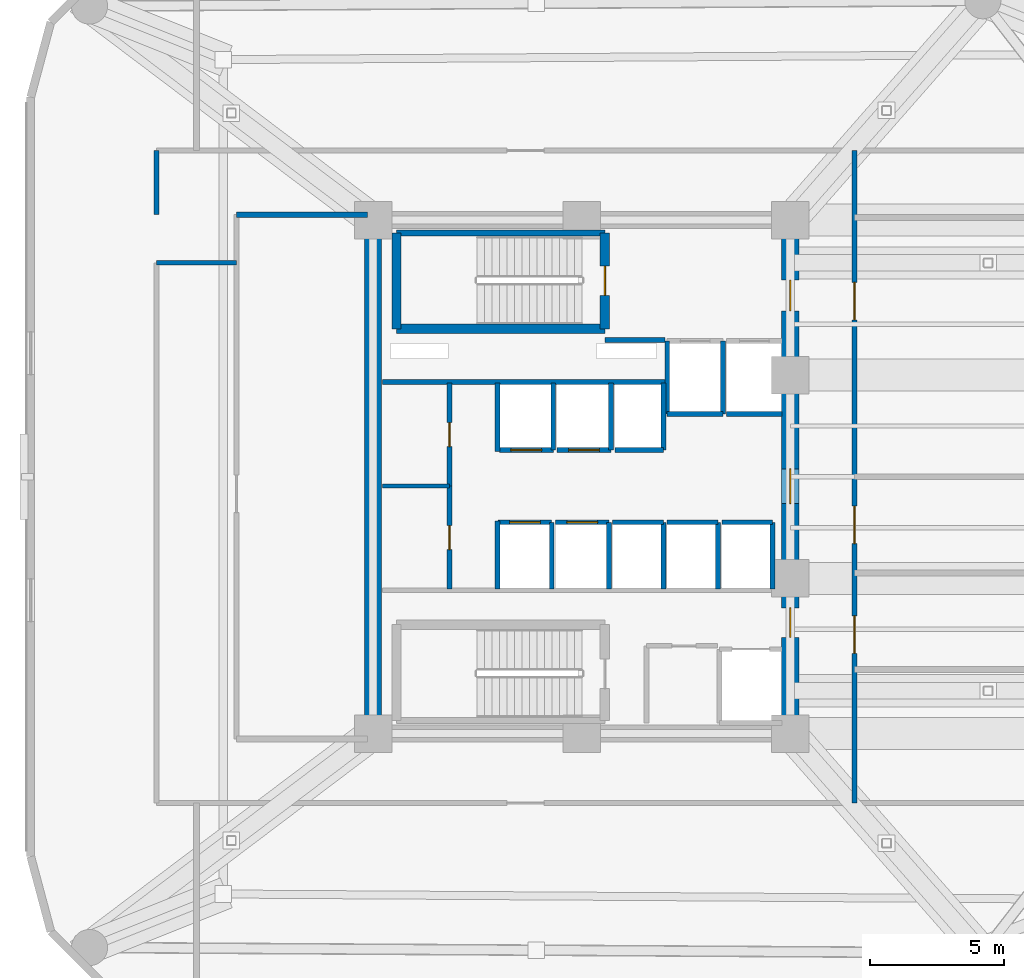
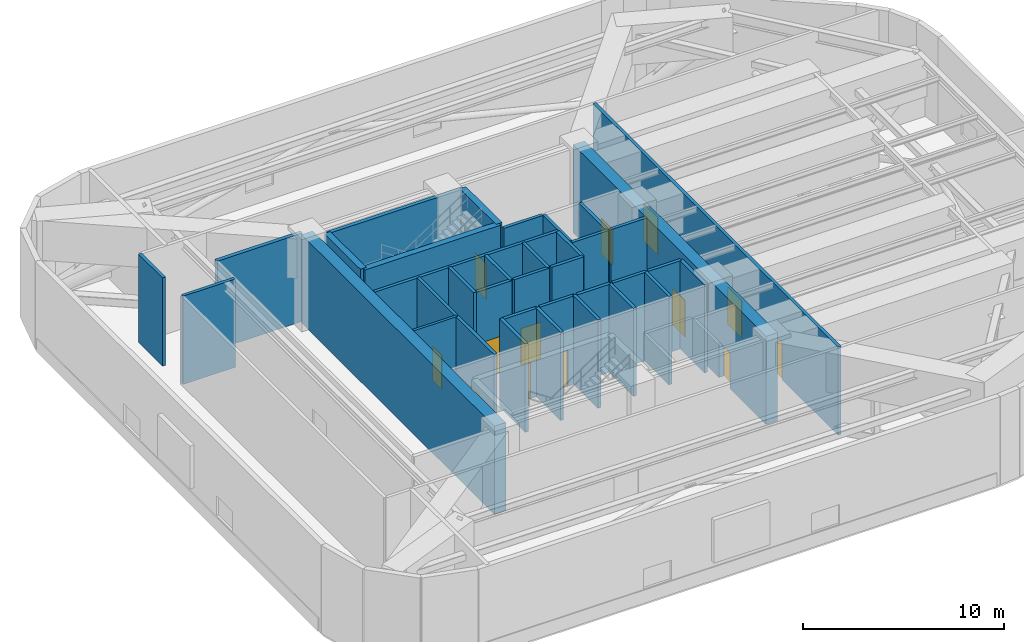
# One storey, part 6 of 10: 37 walls, 13 doors, 13 openings.
"""IFC4 building model written with IfcOpenShell, lengths in metres."""

import ifcopenshell
import ifcopenshell.guid

model = None  # the IFC model being written
_history = None  # IfcOwnerHistory: only IFC2X3 demands one
_inside = {}  # id of a spatial element -> (the spatial element, [elements in it])
_under = {}  # id of a project, library or spatial element -> (it, [spatial elements below it])
_declared = {}  # id of a project -> (the project, [libraries it declares])
_typed = {}  # id of a type object -> (the type object, [elements of that type])
_made_of = {}  # id of a material, layer set ... -> (it, [elements and type objects made of it])


def new_model(schema):
    """Start an empty IFC model of exactly this schema.

    Asked for "IFC4X3", IfcOpenShell would pick the latest addendum, in which some entities
    have other attributes; the version numbers below select the first issue.
    IFC2X3 requires an IfcOwnerHistory on every rooted entity: one is made here for all.
    """
    global model, _history
    if schema == "IFC4X3":
        model = ifcopenshell.file(schema_version=(4, 3, 0, 0))
    else:
        model = ifcopenshell.file(schema=schema)
    _inside.clear()
    _under.clear()
    _declared.clear()
    _typed.clear()
    _made_of.clear()
    _history = None
    if model.schema == "IFC2X3":
        org = make("IfcOrganization", Name="unknown")
        user = make(
            "IfcPersonAndOrganization",
            ThePerson=make("IfcPerson", FamilyName="unknown"),
            TheOrganization=org,
        )
        app = make(
            "IfcApplication",
            ApplicationDeveloper=org,
            Version="unknown",
            ApplicationFullName="unknown",
            ApplicationIdentifier="unknown",
        )
        _history = make(
            "IfcOwnerHistory",
            OwningUser=user,
            OwningApplication=app,
            ChangeAction="ADDED",
            CreationDate=0,
        )
    return model


def make(cls, **values):
    """One entity of the class cls with the attributes given. An attribute that is None is left unset."""
    return model.create_entity(
        cls, **{name: value for name, value in values.items() if value is not None}
    )


def rooted(cls, **values):
    """An entity with a GlobalId (a new one), such as an element, a storey or a relation."""
    return make(cls, GlobalId=ifcopenshell.guid.new(), OwnerHistory=_history, **values)


def si_unit(unit_type, name, prefix=None):
    """IfcSIUnit, for example si_unit("LENGTHUNIT", "METRE", prefix="MILLI")."""
    return make("IfcSIUnit", UnitType=unit_type, Prefix=prefix, Name=name)


def assignment(units):
    """IfcUnitAssignment: the units of a project."""
    return None if units is None else make("IfcUnitAssignment", Units=units)


def point(xyz):
    """IfcCartesianPoint."""
    return None if xyz is None else make("IfcCartesianPoint", Coordinates=xyz)


def direction(xyz):
    """IfcDirection."""
    return None if xyz is None else make("IfcDirection", DirectionRatios=xyz)


def frame(location, z_axis=None, x_axis=None):
    """IfcAxis2Placement3D, a coordinate frame: its origin and axes. An axis left out is left unset."""
    return make(
        "IfcAxis2Placement3D",
        Location=point(location),
        Axis=direction(z_axis),
        RefDirection=direction(x_axis),
    )


def frame_2d(location, x_axis=None):
    """IfcAxis2Placement2D, a coordinate frame in the plane: its origin and x axis."""
    return make(
        "IfcAxis2Placement2D", Location=point(location), RefDirection=direction(x_axis)
    )


def origin():
    """The frame at (0, 0, 0) with its axes left unset."""
    return frame((0.0, 0.0, 0.0))


def place(relative_to, where):
    """IfcLocalPlacement: puts the frame where relative to a parent placement (None: the world)."""
    return make(
        "IfcLocalPlacement", PlacementRelTo=relative_to, RelativePlacement=where
    )


def context(
    kind, dimensions, precision=None, world=None, true_north=None, identifier=None
):
    """IfcGeometricRepresentationContext, for example the 3D "Model" context."""
    return make(
        "IfcGeometricRepresentationContext",
        ContextIdentifier=identifier,
        ContextType=kind,
        CoordinateSpaceDimension=dimensions,
        Precision=precision,
        WorldCoordinateSystem=world,
        TrueNorth=true_north,
    )


def subcontext(parent, identifier, kind, view, scale=None):
    """IfcGeometricRepresentationSubContext, for example "Body" below "Model"."""
    return make(
        "IfcGeometricRepresentationSubContext",
        ContextIdentifier=identifier,
        ContextType=kind,
        ParentContext=parent,
        TargetScale=scale,
        TargetView=view,
    )


def project(units=None, contexts=None):
    """IfcProject with its units and contexts."""
    return rooted(
        "IfcProject",
        Name="project",
        RepresentationContexts=contexts,
        UnitsInContext=assignment(units),
    )


def spatial(cls, under=None, at=None, **own):
    """A site, building, storey or space (cls), placed at a placement, below another one or the project."""
    s = rooted(cls, ObjectPlacement=at, **own)
    if under is not None:
        _under.setdefault(under.id(), (under, []))[1].append(s)
    return s


def profile(cls, at=None, kind="AREA", **sizes):
    """A parametric profile (cls). Its sizes go by their IFC names, for example OverallWidth=200.0."""
    return make(cls, ProfileType=kind, Position=at, **sizes)


def rectangle(**sizes):
    """IfcRectangleProfileDef."""
    return profile("IfcRectangleProfileDef", **sizes)


def extrude(swept, where, along, depth):
    """IfcExtrudedAreaSolid: the profile swept, set in the frame where, extruded along a direction by depth."""
    return make(
        "IfcExtrudedAreaSolid",
        SweptArea=swept,
        Position=where,
        ExtrudedDirection=direction(along),
        Depth=depth,
    )


def shape(context_of_items, identifier, shape_type, items):
    """IfcShapeRepresentation: the items that make up one representation, for example the "Body"."""
    return make(
        "IfcShapeRepresentation",
        ContextOfItems=context_of_items,
        RepresentationIdentifier=identifier,
        RepresentationType=shape_type,
        Items=items,
    )


def material(Name=None, Category=None):
    """IfcMaterial."""
    return make("IfcMaterial", Name=Name, Category=Category)


def layer(
    of_material, thickness, ventilated=None, Name=None, Category=None, Priority=None
):
    """IfcMaterialLayer: one layer of a wall or slab, of a material (None: an air gap)."""
    return make(
        "IfcMaterialLayer",
        Material=of_material,
        LayerThickness=thickness,
        IsVentilated=ventilated,
        Name=Name,
        Category=Category,
        Priority=Priority,
    )


def layer_set(layers, Name=None):
    """IfcMaterialLayerSet."""
    return make("IfcMaterialLayerSet", MaterialLayers=layers, LayerSetName=Name)


def made_of(thing, what):
    """Note that an element or type object is made of a material, layer set ...; save() writes the relation."""
    if what is not None:
        _made_of.setdefault(what.id(), (what, []))[1].append(thing)
    return thing


def type_object(cls, material=None, **own):
    """A type object (cls), such as IfcWallType, which elements share."""
    return made_of(rooted(cls, **own), material)


def element(
    cls,
    number,
    at=None,
    inside=None,
    cuts=None,
    type_object=None,
    material=None,
    context=None,
    identifier="Body",
    shape_type=None,
    held_by="IfcProductDefinitionShape",
    body=None,
    shapes=None,
    **own,
):
    """One element of the class cls, such as IfcWall. Its Tag is "e" and its number.

    at: its placement. inside: the storey or other place that contains it. cuts: it is an
    opening in that element (IfcRelVoidsElement). A single representation is given by context,
    identifier, shape_type and body (its items); several are given by shapes. held_by: the class
    of the entity that holds the representations. save() writes the other relations.
    """
    e = rooted(cls, Tag="e%d" % number, ObjectPlacement=at, **own)
    if body is not None:
        shapes = [shape(context, identifier, shape_type, body)]
    if shapes is not None:
        e.Representation = make(held_by, Representations=shapes)
    if inside is not None:
        _inside.setdefault(inside.id(), (inside, []))[1].append(e)
    if cuts is not None:
        rooted(
            "IfcRelVoidsElement", RelatingBuildingElement=cuts, RelatedOpeningElement=e
        )
    if type_object is not None:
        _typed.setdefault(type_object.id(), (type_object, []))[1].append(e)
    return made_of(e, material)


def fill(opening, filler):
    """IfcRelFillsElement: the door or window that sits in an opening."""
    return rooted(
        "IfcRelFillsElement",
        RelatingOpeningElement=opening,
        RelatedBuildingElement=filler,
    )


def aggregate(whole, parts):
    """IfcRelAggregates: a whole, such as a stair, and the parts it consists of."""
    return rooted("IfcRelAggregates", RelatingObject=whole, RelatedObjects=parts)


def save(model, path):
    """Write the relations noted so far, then the file.

    IfcRelAggregates (storeys below a building ...), IfcRelContainedInSpatialStructure (elements
    in a storey), IfcRelDefinesByType, IfcRelAssociatesMaterial and IfcRelDeclares: one each for
    every whole, place, type object, material and project.
    """
    for whole, parts in _under.values():
        aggregate(whole, parts)
    for where, things in _inside.values():
        rooted(
            "IfcRelContainedInSpatialStructure",
            RelatedElements=things,
            RelatingStructure=where,
        )
    for kind, things in _typed.values():
        rooted("IfcRelDefinesByType", RelatedObjects=things, RelatingType=kind)
    for what, things in _made_of.values():
        rooted("IfcRelAssociatesMaterial", RelatedObjects=things, RelatingMaterial=what)
    for by, libraries in _declared.values():
        rooted("IfcRelDeclares", RelatingContext=by, RelatedDefinitions=libraries)
    model.write(path)


model = new_model("IFC4")

# Units and contexts
model_context = context("Model", 3, precision=1e-05, world=origin(), true_north=direction((0.0, 1.0)))
body_context = subcontext(model_context, "Body", "Model", "MODEL_VIEW")
ifc_project = project(units=[si_unit("LENGTHUNIT", "METRE"), si_unit("AREAUNIT", "SQUARE_METRE"), si_unit("VOLUMEUNIT", "CUBIC_METRE"), si_unit("PLANEANGLEUNIT", "RADIAN"), si_unit("MASSUNIT", "GRAM", prefix="KILO")], contexts=[model_context])

# Site, building, storey
site_placement = place(None, origin())
site = spatial("IfcSite", under=ifc_project, at=site_placement, CompositionType="ELEMENT")
building_placement = place(site_placement, origin())
building = spatial("IfcBuilding", under=site, at=building_placement, Name="An Khanh Terracotta Commons", CompositionType="ELEMENT")
storey_placement = place(building_placement, frame((0.0, 0.0, 133.10009765625)))
storey = spatial("IfcBuildingStorey", under=building, at=storey_placement, Name="L35", CompositionType="ELEMENT", Elevation=133.10009765625)

# Wall
ifc_material_1 = material(Name="Concrete C60/75", Category="concrete")
ifc_layer_1 = layer(ifc_material_1, 0.64990234375, Name="Concrete C60/75")
ifc_layer_set_1 = layer_set([ifc_layer_1], Name="Concrete C60/75")
wall_type_1 = type_object("IfcWallType", Name="WALL-CORE-650", PredefinedType="SHEAR", material=ifc_layer_set_1)
wall_1_placement = place(storey_placement, frame((21.60009765625, 14.39990234375, 0.0), z_axis=(0.0, 0.0, 1.0), x_axis=(0.0, 1.0, 0.0)))
element("IfcWall", 1, at=wall_1_placement, inside=storey, type_object=wall_type_1, Name="L35 Core Wall CWALL-L35-W", PredefinedType="SHEAR", context=body_context, shape_type="SweptSolid", body=[
    extrude(rectangle(XDim=19.2001953125, YDim=0.64990234375, at=frame_2d((9.60009765625, 0.0))), origin(), (0.0, 0.0, 1.0), 5.35986328125),
])

# Wall, openings, doors
wall_2_placement = place(storey_placement, frame((37.199951171875, 14.39990234375, 0.0), z_axis=(0.0, 0.0, 1.0), x_axis=(0.0, 1.0, 0.0)))
wall_2 = element("IfcWall", 2, at=wall_2_placement, inside=storey, type_object=wall_type_1, Name="L35 Core Wall CWALL-L35-E", PredefinedType="SHEAR", context=body_context, shape_type="SweptSolid", body=[
    extrude(rectangle(XDim=19.2001953125, YDim=0.64990234375, at=frame_2d((9.60009765625, 0.0))), origin(), (0.0, 0.0, 1.0), 5.35986328125),
])
opening_1_placement = place(wall_2_placement, frame((15.800048828125, 0.0, 0.0)))
opening_1 = element("IfcOpeningElement", 3, at=opening_1_placement, cuts=wall_2, Name="Opening D-FFL", PredefinedType="OPENING", context=body_context, shape_type="SweptSolid", body=[
    extrude(rectangle(XDim=1.14990234375, YDim=2.14990234375, at=frame_2d((0.574951171875, 1.074951171875))), frame((0.0, 0.3349609375, 0.0), z_axis=(0.0, -1.0, 0.0), x_axis=(1.0, 0.0, 0.0)), (0.0, 0.0, 1.0), 0.669921875),
])
opening_2_placement = place(wall_2_placement, frame((3.60009765625, 0.0, 0.0)))
opening_2 = element("IfcOpeningElement", 4, at=opening_2_placement, cuts=wall_2, Name="Opening D-ST", PredefinedType="OPENING", context=body_context, shape_type="SweptSolid", body=[
    extrude(rectangle(XDim=1.10009765625, YDim=2.14990234375, at=frame_2d((0.550048828125, 1.074951171875))), frame((0.0, 0.3349609375, 0.0), z_axis=(0.0, -1.0, 0.0), x_axis=(1.0, 0.0, 0.0)), (0.0, 0.0, 1.0), 0.669921875),
])
opening_3_placement = place(wall_2_placement, frame((8.60009765625, 0.0, 0.0)))
opening_3 = element("IfcOpeningElement", 5, at=opening_3_placement, cuts=wall_2, Name="Opening D-COR", PredefinedType="OPENING", context=body_context, shape_type="SweptSolid", body=[
    extrude(rectangle(XDim=1.300048828125, YDim=2.199951171875, at=frame_2d((0.64990234375, 1.10009765625))), frame((0.0, 0.3349609375, 0.0), z_axis=(0.0, -1.0, 0.0), x_axis=(1.0, 0.0, 0.0)), (0.0, 0.0, 1.0), 0.669921875),
])
ifc_material_2 = material(Name="Fire-Rated Glazed Steel Double Door", Category="steel")
door_type_1 = type_object("IfcDoorType", Name="DOOR-CORR-1300", OperationType="NOTDEFINED", PredefinedType="DOOR", material=ifc_material_2)
door_1_placement = place(opening_3_placement, origin())
door_1 = element("IfcDoor", 6, at=door_1_placement, inside=storey, type_object=door_type_1, Name="L35 Passenger Lift Lobby Double Door", OperationType="DOUBLE_DOOR_SINGLE_SWING", OverallHeight=2.199951171875, OverallWidth=1.300048828125, PredefinedType="DOOR", context=body_context, shape_type="SweptSolid", body=[
    extrude(rectangle(XDim=1.300048828125, YDim=2.199951171875, at=frame_2d((0.64990234375, 1.10009765625))), frame((0.0, 0.02490234375, 0.0), z_axis=(0.0, -1.0, 0.0), x_axis=(1.0, 0.0, 0.0)), (0.0, 0.0, 1.0), 0.050048828125),
])
fill(opening_3, door_1)
ifc_material_3 = material(Name="Fire-Rated Steel Leaf and Vision Panel", Category="steel")
door_type_2 = type_object("IfcDoorType", Name="DOOR-FFL-1150", OperationType="NOTDEFINED", PredefinedType="DOOR", material=ifc_material_3)
door_2_placement = place(opening_1_placement, origin())
door_2 = element("IfcDoor", 7, at=door_2_placement, inside=storey, type_object=door_type_2, Name="L35 Firefighting Lift Lobby Fire Door", OperationType="SINGLE_SWING_RIGHT", OverallHeight=2.14990234375, OverallWidth=1.14990234375, PredefinedType="DOOR", context=body_context, shape_type="SweptSolid", body=[
    extrude(rectangle(XDim=1.14990234375, YDim=2.14990234375, at=frame_2d((0.574951171875, 1.074951171875))), frame((0.0, 0.02490234375, 0.0), z_axis=(0.0, -1.0, 0.0), x_axis=(1.0, 0.0, 0.0)), (0.0, 0.0, 1.0), 0.050048828125),
])
fill(opening_1, door_2)
ifc_material_4 = material(Name="Fire-Rated Steel Leaf and Frame", Category="steel")
door_type_3 = type_object("IfcDoorType", Name="DOOR-STAIR-1100", OperationType="NOTDEFINED", PredefinedType="DOOR", material=ifc_material_4)
door_3_placement = place(opening_2_placement, origin())
door_3 = element("IfcDoor", 8, at=door_3_placement, inside=storey, type_object=door_type_3, Name="L35 South Stair Lobby Fire Door", OperationType="SINGLE_SWING_LEFT", OverallHeight=2.14990234375, OverallWidth=1.10009765625, PredefinedType="DOOR", context=body_context, shape_type="SweptSolid", body=[
    extrude(rectangle(XDim=1.10009765625, YDim=2.14990234375, at=frame_2d((0.550048828125, 1.074951171875))), frame((0.0, 0.02490234375, 0.0), z_axis=(0.0, -1.0, 0.0), x_axis=(1.0, 0.0, 0.0)), (0.0, 0.0, 1.0), 0.050048828125),
])
fill(opening_2, door_3)

# Walls
ifc_material_5 = material(Name="Fire-Rated Gypsum Board on Steel Stud", Category="steel")
ifc_layer_2 = layer(ifc_material_5, 0.179931640625, Name="Fire-Rated Gypsum Board on Steel Stud")
ifc_layer_set_2 = layer_set([ifc_layer_2], Name="Fire-Rated Gypsum Board on Steel Stud")
wall_type_2 = type_object("IfcWallType", Name="WALL-CORR-180", PredefinedType="PARTITIONING", material=ifc_layer_set_2)
wall_3_placement = place(storey_placement, frame((30.27001953125, 29.1201171875, 0.0), z_axis=(0.0, 0.0, 1.0), x_axis=(1.0, 0.0, 0.0)))
element("IfcWall", 9, at=wall_3_placement, inside=storey, type_object=wall_type_2, Name="L35 Core Wall FFLW-L35-S", PredefinedType="PARTITIONING", context=body_context, shape_type="SweptSolid", body=[
    extrude(rectangle(XDim=2.239990234375, YDim=0.179931640625, at=frame_2d((1.1201171875, 0.0))), origin(), (0.0, 0.0, 1.0), 5.35986328125),
])
wall_4_placement = place(storey_placement, frame((21.949951171875, 27.5400390625, 0.0), z_axis=(0.0, 0.0, 1.0), x_axis=(1.0, 0.0, 0.0)))
element("IfcWall", 10, at=wall_4_placement, inside=storey, type_object=wall_type_2, Name="L35 Core Wall RSRW-L35-S", PredefinedType="PARTITIONING", context=body_context, shape_type="SweptSolid", body=[
    extrude(rectangle(XDim=10.56005859375, YDim=0.179931640625, at=frame_2d((5.280029296875, 0.0))), origin(), (0.0, 0.0, 1.0), 5.35986328125),
])
wall_5_placement = place(storey_placement, frame((34.679931640625, 26.35009765625, 0.0), z_axis=(0.0, 0.0, 1.0), x_axis=(-1.0, 0.0, 0.0)))
element("IfcWall", 11, at=wall_5_placement, inside=storey, type_object=wall_type_2, Name="L35 Core Wall LSH-L35-FFL-01-S", PredefinedType="PARTITIONING", context=body_context, shape_type="SweptSolid", body=[
    extrude(rectangle(XDim=2.079833984375, YDim=0.179931640625, at=frame_2d((1.0400390625, 0.0))), origin(), (0.0, 0.0, 1.0), 5.35986328125),
])
for number, where, z_axis, x_axis, name in (
    (12, (34.679931640625, 26.35009765625, 0.0), (0.0, 0.0, 1.0), (0.0, 1.0, 0.0), "L35 Core Wall LSH-L35-FFL-01-E"),
    (13, (32.60009765625, 29.080078125, 0.0), (0.0, 0.0, 1.0), (0.0, -1.0, 0.0), "L35 Core Wall LSH-L35-FFL-01-W"),
):
    element("IfcWall", number, at=place(storey_placement, frame(where, z_axis=z_axis, x_axis=x_axis)), inside=storey, type_object=wall_type_2, Name=name, PredefinedType="PARTITIONING", context=body_context, shape_type="SweptSolid", body=[
        extrude(rectangle(XDim=2.72998046875, YDim=0.179931640625, at=frame_2d((1.364990234375, 0.0))), origin(), (0.0, 0.0, 1.0), 5.35986328125),
    ])
wall_6_placement = place(storey_placement, frame((36.89990234375, 26.35009765625, 0.0), z_axis=(0.0, 0.0, 1.0), x_axis=(-1.0, 0.0, 0.0)))
element("IfcWall", 14, at=wall_6_placement, inside=storey, type_object=wall_type_2, Name="L35 Core Wall LSH-L35-FFL-02-S", PredefinedType="PARTITIONING", context=body_context, shape_type="SweptSolid", body=[
    extrude(rectangle(XDim=2.079833984375, YDim=0.179931640625, at=frame_2d((1.0400390625, 0.0))), origin(), (0.0, 0.0, 1.0), 5.35986328125),
])

# Wall, opening, door
wall_7_placement = place(storey_placement, frame((28.340087890625, 25.0, 0.0), z_axis=(0.0, 0.0, 1.0), x_axis=(-1.0, 0.0, 0.0)))
wall_7 = element("IfcWall", 15, at=wall_7_placement, inside=storey, type_object=wall_type_2, Name="L35 Core Wall LSH-L35-PL-M1-S", PredefinedType="PARTITIONING", context=body_context, shape_type="SweptSolid", body=[
    extrude(rectangle(XDim=2.02001953125, YDim=0.179931640625, at=frame_2d((1.010009765625, 0.0))), origin(), (0.0, 0.0, 1.0), 5.35986328125),
])
opening_4_placement = place(wall_7_placement, frame((0.43505859375, 0.0, 0.0)))
opening_4 = element("IfcOpeningElement", 16, at=opening_4_placement, cuts=wall_7, Name="Opening LD-PL-M1-L35", PredefinedType="OPENING", context=body_context, shape_type="SweptSolid", body=[
    extrude(rectangle(XDim=1.14990234375, YDim=2.199951171875, at=frame_2d((0.574951171875, 1.10009765625))), frame((0.0, 0.099853515625, 0.0), z_axis=(0.0, -1.0, 0.0), x_axis=(1.0, 0.0, 0.0)), (0.0, 0.0, 1.0), 0.199951171875),
])
ifc_material_6 = material(Name="Brushed Stainless Steel Passenger Landing Door", Category="steel")
door_type_4 = type_object("IfcDoorType", Name="DOOR-LD-PAX-1150", OperationType="NOTDEFINED", PredefinedType="DOOR", material=ifc_material_6)
door_4_placement = place(opening_4_placement, origin())
door_4 = element("IfcDoor", 17, at=door_4_placement, inside=storey, type_object=door_type_4, Name="L35 Lift PL-M1 Sliding Landing Door", OperationType="DOUBLE_DOOR_SLIDING", OverallHeight=2.199951171875, OverallWidth=1.14990234375, PredefinedType="DOOR", context=body_context, shape_type="SweptSolid", body=[
    extrude(rectangle(XDim=1.14990234375, YDim=2.199951171875, at=frame_2d((0.574951171875, 1.10009765625))), frame((0.0, 0.02490234375, 0.0), z_axis=(0.0, -1.0, 0.0), x_axis=(1.0, 0.0, 0.0)), (0.0, 0.0, 1.0), 0.050048828125),
])
fill(opening_4, door_4)

# Wall
wall_8_placement = place(storey_placement, frame((28.340087890625, 25.0, 0.0), z_axis=(0.0, 0.0, 1.0), x_axis=(0.0, 1.0, 0.0)))
element("IfcWall", 18, at=wall_8_placement, inside=storey, type_object=wall_type_2, Name="L35 Core Wall LSH-L35-PL-M1-E", PredefinedType="PARTITIONING", context=body_context, shape_type="SweptSolid", body=[
    extrude(rectangle(XDim=2.5, YDim=0.179931640625, at=frame_2d((1.25, 0.0))), origin(), (0.0, 0.0, 1.0), 5.35986328125),
])

# Wall, opening, door
wall_9_placement = place(storey_placement, frame((30.5, 25.0, 0.0), z_axis=(0.0, 0.0, 1.0), x_axis=(-1.0, 0.0, 0.0)))
wall_9 = element("IfcWall", 19, at=wall_9_placement, inside=storey, type_object=wall_type_2, Name="L35 Core Wall LSH-L35-PL-M2-S", PredefinedType="PARTITIONING", context=body_context, shape_type="SweptSolid", body=[
    extrude(rectangle(XDim=2.02001953125, YDim=0.179931640625, at=frame_2d((1.010009765625, 0.0))), origin(), (0.0, 0.0, 1.0), 5.35986328125),
])
opening_5_placement = place(wall_9_placement, frame((0.43505859375, 0.0, 0.0)))
opening_5 = element("IfcOpeningElement", 20, at=opening_5_placement, cuts=wall_9, Name="Opening LD-PL-M2-L35", PredefinedType="OPENING", context=body_context, shape_type="SweptSolid", body=[
    extrude(rectangle(XDim=1.14990234375, YDim=2.199951171875, at=frame_2d((0.574951171875, 1.10009765625))), frame((0.0, 0.099853515625, 0.0), z_axis=(0.0, -1.0, 0.0), x_axis=(1.0, 0.0, 0.0)), (0.0, 0.0, 1.0), 0.199951171875),
])
door_5_placement = place(opening_5_placement, origin())
door_5 = element("IfcDoor", 21, at=door_5_placement, inside=storey, type_object=door_type_4, Name="L35 Lift PL-M2 Sliding Landing Door", OperationType="DOUBLE_DOOR_SLIDING", OverallHeight=2.199951171875, OverallWidth=1.14990234375, PredefinedType="DOOR", context=body_context, shape_type="SweptSolid", body=[
    extrude(rectangle(XDim=1.14990234375, YDim=2.199951171875, at=frame_2d((0.574951171875, 1.10009765625))), frame((0.0, 0.02490234375, 0.0), z_axis=(0.0, -1.0, 0.0), x_axis=(1.0, 0.0, 0.0)), (0.0, 0.0, 1.0), 0.050048828125),
])
fill(opening_5, door_5)

# Wall
wall_10_placement = place(storey_placement, frame((30.5, 25.0, 0.0), z_axis=(0.0, 0.0, 1.0), x_axis=(0.0, 1.0, 0.0)))
element("IfcWall", 22, at=wall_10_placement, inside=storey, type_object=wall_type_2, Name="L35 Core Wall LSH-L35-PL-M2-E", PredefinedType="PARTITIONING", context=body_context, shape_type="SweptSolid", body=[
    extrude(rectangle(XDim=2.5, YDim=0.179931640625, at=frame_2d((1.25, 0.0))), origin(), (0.0, 0.0, 1.0), 5.35986328125),
])

# Wall, opening, door
wall_11_placement = place(storey_placement, frame((26.280029296875, 22.300048828125, 0.0), z_axis=(0.0, 0.0, 1.0), x_axis=(1.0, 0.0, 0.0)))
wall_11 = element("IfcWall", 23, at=wall_11_placement, inside=storey, type_object=wall_type_2, Name="L35 Core Wall LSH-L35-PL-M3-N", PredefinedType="PARTITIONING", context=body_context, shape_type="SweptSolid", body=[
    extrude(rectangle(XDim=2.0, YDim=0.179931640625, at=frame_2d((1.0, 0.0))), origin(), (0.0, 0.0, 1.0), 5.35986328125),
])
opening_6_placement = place(wall_11_placement, frame((0.425048828125, 0.0, 0.0)))
opening_6 = element("IfcOpeningElement", 24, at=opening_6_placement, cuts=wall_11, Name="Opening LD-PL-M3-L35", PredefinedType="OPENING", context=body_context, shape_type="SweptSolid", body=[
    extrude(rectangle(XDim=1.14990234375, YDim=2.199951171875, at=frame_2d((0.574951171875, 1.10009765625))), frame((0.0, 0.099853515625, 0.0), z_axis=(0.0, -1.0, 0.0), x_axis=(1.0, 0.0, 0.0)), (0.0, 0.0, 1.0), 0.199951171875),
])
door_6_placement = place(opening_6_placement, origin())
door_6 = element("IfcDoor", 25, at=door_6_placement, inside=storey, type_object=door_type_4, Name="L35 Lift PL-M3 Sliding Landing Door", OperationType="DOUBLE_DOOR_SLIDING", OverallHeight=2.199951171875, OverallWidth=1.14990234375, PredefinedType="DOOR", context=body_context, shape_type="SweptSolid", body=[
    extrude(rectangle(XDim=1.14990234375, YDim=2.199951171875, at=frame_2d((0.574951171875, 1.10009765625))), frame((0.0, 0.02490234375, 0.0), z_axis=(0.0, -1.0, 0.0), x_axis=(1.0, 0.0, 0.0)), (0.0, 0.0, 1.0), 0.050048828125),
])
fill(opening_6, door_6)

# Wall
wall_12_placement = place(storey_placement, frame((28.280029296875, 19.800048828125, 0.0), z_axis=(0.0, 0.0, 1.0), x_axis=(0.0, 1.0, 0.0)))
element("IfcWall", 26, at=wall_12_placement, inside=storey, type_object=wall_type_2, Name="L35 Core Wall LSH-L35-PL-M3-E", PredefinedType="PARTITIONING", context=body_context, shape_type="SweptSolid", body=[
    extrude(rectangle(XDim=2.5, YDim=0.179931640625, at=frame_2d((1.25, 0.0))), origin(), (0.0, 0.0, 1.0), 5.35986328125),
])

# Wall, opening, door
wall_13_placement = place(storey_placement, frame((28.419921875, 22.300048828125, 0.0), z_axis=(0.0, 0.0, 1.0), x_axis=(1.0, 0.0, 0.0)))
wall_13 = element("IfcWall", 27, at=wall_13_placement, inside=storey, type_object=wall_type_2, Name="L35 Core Wall LSH-L35-PL-M4-N", PredefinedType="PARTITIONING", context=body_context, shape_type="SweptSolid", body=[
    extrude(rectangle(XDim=2.0, YDim=0.179931640625, at=frame_2d((1.0, 0.0))), origin(), (0.0, 0.0, 1.0), 5.35986328125),
])
opening_7_placement = place(wall_13_placement, frame((0.425048828125, 0.0, 0.0)))
opening_7 = element("IfcOpeningElement", 28, at=opening_7_placement, cuts=wall_13, Name="Opening LD-PL-M4-L35", PredefinedType="OPENING", context=body_context, shape_type="SweptSolid", body=[
    extrude(rectangle(XDim=1.14990234375, YDim=2.199951171875, at=frame_2d((0.574951171875, 1.10009765625))), frame((0.0, 0.099853515625, 0.0), z_axis=(0.0, -1.0, 0.0), x_axis=(1.0, 0.0, 0.0)), (0.0, 0.0, 1.0), 0.199951171875),
])
door_7_placement = place(opening_7_placement, origin())
door_7 = element("IfcDoor", 29, at=door_7_placement, inside=storey, type_object=door_type_4, Name="L35 Lift PL-M4 Sliding Landing Door", OperationType="DOUBLE_DOOR_SLIDING", OverallHeight=2.199951171875, OverallWidth=1.14990234375, PredefinedType="DOOR", context=body_context, shape_type="SweptSolid", body=[
    extrude(rectangle(XDim=1.14990234375, YDim=2.199951171875, at=frame_2d((0.574951171875, 1.10009765625))), frame((0.0, 0.02490234375, 0.0), z_axis=(0.0, -1.0, 0.0), x_axis=(1.0, 0.0, 0.0)), (0.0, 0.0, 1.0), 0.050048828125),
])
fill(opening_7, door_7)

# Walls
wall_14_placement = place(storey_placement, frame((30.419921875, 19.800048828125, 0.0), z_axis=(0.0, 0.0, 1.0), x_axis=(0.0, 1.0, 0.0)))
element("IfcWall", 30, at=wall_14_placement, inside=storey, type_object=wall_type_2, Name="L35 Core Wall LSH-L35-PL-M4-E", PredefinedType="PARTITIONING", context=body_context, shape_type="SweptSolid", body=[
    extrude(rectangle(XDim=2.5, YDim=0.179931640625, at=frame_2d((1.25, 0.0))), origin(), (0.0, 0.0, 1.0), 5.35986328125),
])
wall_15_placement = place(storey_placement, frame((32.4599609375, 25.0, 0.0), z_axis=(0.0, 0.0, 1.0), x_axis=(-1.0, 0.0, 0.0)))
element("IfcWall", 31, at=wall_15_placement, inside=storey, type_object=wall_type_2, Name="L35 Core Wall LSH-L35-PL-H1-S", PredefinedType="PARTITIONING", context=body_context, shape_type="SweptSolid", body=[
    extrude(rectangle(XDim=1.820068359375, YDim=0.179931640625, at=frame_2d((0.91015625, 0.0))), origin(), (0.0, 0.0, 1.0), 5.35986328125),
])
wall_16_placement = place(storey_placement, frame((32.4599609375, 25.0, 0.0), z_axis=(0.0, 0.0, 1.0), x_axis=(0.0, 1.0, 0.0)))
element("IfcWall", 32, at=wall_16_placement, inside=storey, type_object=wall_type_2, Name="L35 Core Wall LSH-L35-PL-H1-E", PredefinedType="PARTITIONING", context=body_context, shape_type="SweptSolid", body=[
    extrude(rectangle(XDim=2.5, YDim=0.179931640625, at=frame_2d((1.25, 0.0))), origin(), (0.0, 0.0, 1.0), 5.35986328125),
])
wall_17_placement = place(storey_placement, frame((30.56005859375, 22.300048828125, 0.0), z_axis=(0.0, 0.0, 1.0), x_axis=(1.0, 0.0, 0.0)))
element("IfcWall", 33, at=wall_17_placement, inside=storey, type_object=wall_type_2, Name="L35 Core Wall LSH-L35-PL-H2-N", PredefinedType="PARTITIONING", context=body_context, shape_type="SweptSolid", body=[
    extrude(rectangle(XDim=1.89990234375, YDim=0.179931640625, at=frame_2d((0.949951171875, 0.0))), origin(), (0.0, 0.0, 1.0), 5.35986328125),
])
wall_18_placement = place(storey_placement, frame((32.4599609375, 19.800048828125, 0.0), z_axis=(0.0, 0.0, 1.0), x_axis=(0.0, 1.0, 0.0)))
element("IfcWall", 34, at=wall_18_placement, inside=storey, type_object=wall_type_2, Name="L35 Core Wall LSH-L35-PL-H2-E", PredefinedType="PARTITIONING", context=body_context, shape_type="SweptSolid", body=[
    extrude(rectangle(XDim=2.5, YDim=0.179931640625, at=frame_2d((1.25, 0.0))), origin(), (0.0, 0.0, 1.0), 5.35986328125),
])
wall_19_placement = place(storey_placement, frame((32.60009765625, 22.300048828125, 0.0), z_axis=(0.0, 0.0, 1.0), x_axis=(1.0, 0.0, 0.0)))
element("IfcWall", 35, at=wall_19_placement, inside=storey, type_object=wall_type_2, Name="L35 Core Wall LSH-L35-PL-H3-N", PredefinedType="PARTITIONING", context=body_context, shape_type="SweptSolid", body=[
    extrude(rectangle(XDim=1.89990234375, YDim=0.179931640625, at=frame_2d((0.949951171875, 0.0))), origin(), (0.0, 0.0, 1.0), 5.35986328125),
])
wall_20_placement = place(storey_placement, frame((34.5, 19.800048828125, 0.0), z_axis=(0.0, 0.0, 1.0), x_axis=(0.0, 1.0, 0.0)))
element("IfcWall", 36, at=wall_20_placement, inside=storey, type_object=wall_type_2, Name="L35 Core Wall LSH-L35-PL-H3-E", PredefinedType="PARTITIONING", context=body_context, shape_type="SweptSolid", body=[
    extrude(rectangle(XDim=2.5, YDim=0.179931640625, at=frame_2d((1.25, 0.0))), origin(), (0.0, 0.0, 1.0), 5.35986328125),
])
wall_21_placement = place(storey_placement, frame((34.639892578125, 22.300048828125, 0.0), z_axis=(0.0, 0.0, 1.0), x_axis=(1.0, 0.0, 0.0)))
element("IfcWall", 37, at=wall_21_placement, inside=storey, type_object=wall_type_2, Name="L35 Core Wall LSH-L35-PL-H4-N", PredefinedType="PARTITIONING", context=body_context, shape_type="SweptSolid", body=[
    extrude(rectangle(XDim=1.900146484375, YDim=0.179931640625, at=frame_2d((0.9501953125, 0.0))), origin(), (0.0, 0.0, 1.0), 5.35986328125),
])
wall_22_placement = place(storey_placement, frame((36.5400390625, 19.800048828125, 0.0), z_axis=(0.0, 0.0, 1.0), x_axis=(0.0, 1.0, 0.0)))
element("IfcWall", 38, at=wall_22_placement, inside=storey, type_object=wall_type_2, Name="L35 Core Wall LSH-L35-PL-H4-E", PredefinedType="PARTITIONING", context=body_context, shape_type="SweptSolid", body=[
    extrude(rectangle(XDim=2.5, YDim=0.179931640625, at=frame_2d((1.25, 0.0))), origin(), (0.0, 0.0, 1.0), 5.35986328125),
])

# Wall, opening, door
wall_23_placement = place(storey_placement, frame((24.4599609375, 23.64990234375, 0.0), z_axis=(0.0, 0.0, 1.0), x_axis=(0.0, 1.0, 0.0)))
wall_23 = element("IfcWall", 39, at=wall_23_placement, inside=storey, type_object=wall_type_2, Name="L35 Core Wall RECW-L35-E1", PredefinedType="PARTITIONING", context=body_context, shape_type="SweptSolid", body=[
    extrude(rectangle(XDim=3.85009765625, YDim=0.179931640625, at=frame_2d((1.925048828125, 0.0))), origin(), (0.0, 0.0, 1.0), 5.35986328125),
])
opening_8_placement = place(wall_23_placement, frame((1.47509765625, 0.0, 0.0)))
opening_8 = element("IfcOpeningElement", 40, at=opening_8_placement, cuts=wall_23, Name="Opening D-SV", PredefinedType="OPENING", context=body_context, shape_type="SweptSolid", body=[
    extrude(rectangle(XDim=0.89990234375, YDim=2.050048828125, at=frame_2d((0.449951171875, 1.02490234375))), frame((0.0, 0.099853515625, 0.0), z_axis=(0.0, -1.0, 0.0), x_axis=(1.0, 0.0, 0.0)), (0.0, 0.0, 1.0), 0.199951171875),
])
ifc_material_7 = material(Name="Fire-Rated Powder-Coated Steel Door", Category="steel")
door_type_5 = type_object("IfcDoorType", Name="DOOR-SERV-900", OperationType="NOTDEFINED", PredefinedType="DOOR", material=ifc_material_7)
door_8_placement = place(opening_8_placement, origin())
door_8 = element("IfcDoor", 41, at=door_8_placement, inside=storey, type_object=door_type_5, Name="L35 Mechanical Smoke-Control Fan Plant Room Door", OperationType="SINGLE_SWING_LEFT", OverallHeight=2.050048828125, OverallWidth=0.89990234375, PredefinedType="DOOR", context=body_context, shape_type="SweptSolid", body=[
    extrude(rectangle(XDim=0.89990234375, YDim=2.050048828125, at=frame_2d((0.449951171875, 1.02490234375))), frame((0.0, 0.02490234375, 0.0), z_axis=(0.0, -1.0, 0.0), x_axis=(1.0, 0.0, 0.0)), (0.0, 0.0, 1.0), 0.050048828125),
])
fill(opening_8, door_8)

wall_24_placement = place(storey_placement, frame((24.4599609375, 19.800048828125, 0.0), z_axis=(0.0, 0.0, 1.0), x_axis=(0.0, 1.0, 0.0)))
wall_24 = element("IfcWall", 42, at=wall_24_placement, inside=storey, type_object=wall_type_2, Name="L35 Core Wall RECW-L35-E2", PredefinedType="PARTITIONING", context=body_context, shape_type="SweptSolid", body=[
    extrude(rectangle(XDim=3.849853515625, YDim=0.179931640625, at=frame_2d((1.9248046875, 0.0))), origin(), (0.0, 0.0, 1.0), 5.35986328125),
])
opening_9_placement = place(wall_24_placement, frame((1.47509765625, 0.0, 0.0)))
opening_9 = element("IfcOpeningElement", 43, at=opening_9_placement, cuts=wall_24, Name="Opening D-SV", PredefinedType="OPENING", context=body_context, shape_type="SweptSolid", body=[
    extrude(rectangle(XDim=0.89990234375, YDim=2.050048828125, at=frame_2d((0.449951171875, 1.02490234375))), frame((0.0, 0.099853515625, 0.0), z_axis=(0.0, -1.0, 0.0), x_axis=(1.0, 0.0, 0.0)), (0.0, 0.0, 1.0), 0.199951171875),
])
door_9_placement = place(opening_9_placement, origin())
door_9 = element("IfcDoor", 44, at=door_9_placement, inside=storey, type_object=door_type_5, Name="L35 Refuge Emergency Generator Switchroom Door", OperationType="SINGLE_SWING_RIGHT", OverallHeight=2.050048828125, OverallWidth=0.89990234375, PredefinedType="DOOR", context=body_context, shape_type="SweptSolid", body=[
    extrude(rectangle(XDim=0.89990234375, YDim=2.050048828125, at=frame_2d((0.449951171875, 1.02490234375))), frame((0.0, 0.02490234375, 0.0), z_axis=(0.0, -1.0, 0.0), x_axis=(1.0, 0.0, 0.0)), (0.0, 0.0, 1.0), 0.050048828125),
])
fill(opening_9, door_9)

# Walls
for number, where, z_axis, x_axis, name in (
    (45, (26.25, 24.949951171875, 0.0), (0.0, 0.0, 1.0), (0.0, 1.0, 0.0), "L35 Core Wall RECW-L35-BE1"),
    (46, (26.25, 19.800048828125, 0.0), (0.0, 0.0, 1.0), (0.0, 1.0, 0.0), "L35 Core Wall RECW-L35-BE2"),
):
    element("IfcWall", number, at=place(storey_placement, frame(where, z_axis=z_axis, x_axis=x_axis)), inside=storey, type_object=wall_type_2, Name=name, PredefinedType="PARTITIONING", context=body_context, shape_type="SweptSolid", body=[
        extrude(rectangle(XDim=2.550048828125, YDim=0.179931640625, at=frame_2d((1.27490234375, 0.0))), origin(), (0.0, 0.0, 1.0), 5.35986328125),
    ])
wall_25_placement = place(storey_placement, frame((13.5, 32.0, 0.0), z_axis=(0.0, 0.0, 1.0), x_axis=(1.0, 0.0, 0.0)))
element("IfcWall", 47, at=wall_25_placement, inside=storey, type_object=wall_type_2, Name="L35 Interior Partition IW-L35-E006", PredefinedType="PARTITIONING", context=body_context, shape_type="SweptSolid", body=[
    extrude(rectangle(XDim=3.0, YDim=0.179931640625, at=frame_2d((1.5, 0.0))), origin(), (0.0, 0.0, 1.0), 5.35986328125),
])
wall_26_placement = place(storey_placement, frame((13.5, 33.800048828125, 0.0), z_axis=(0.0, 0.0, 1.0), x_axis=(0.0, 1.0, 0.0)))
element("IfcWall", 48, at=wall_26_placement, inside=storey, type_object=wall_type_2, Name="L35 Interior Partition IW-L35-E011", PredefinedType="PARTITIONING", context=body_context, shape_type="SweptSolid", body=[
    extrude(rectangle(XDim=2.39990234375, YDim=0.179931640625, at=frame_2d((1.199951171875, 0.0))), origin(), (0.0, 0.0, 1.0), 5.35986328125),
])

# Wall, openings, doors
wall_27_placement = place(storey_placement, frame((39.60009765625, 11.800048828125, 0.0), z_axis=(0.0, 0.0, 1.0), x_axis=(0.0, 1.0, 0.0)))
wall_27 = element("IfcWall", 49, at=wall_27_placement, inside=storey, type_object=wall_type_2, Name="L35 Interior Partition IW-L35-E015", PredefinedType="PARTITIONING", context=body_context, shape_type="SweptSolid", body=[
    extrude(rectangle(XDim=24.39990234375, YDim=0.179931640625, at=frame_2d((12.199951171875, 0.0))), origin(), (0.0, 0.0, 1.0), 5.35986328125),
])
opening_10_placement = place(wall_27_placement, frame((18.070068359375, 0.0, 0.0)))
opening_10 = element("IfcOpeningElement", 50, at=opening_10_placement, cuts=wall_27, Name="Opening D-PL", PredefinedType="OPENING", context=body_context, shape_type="SweptSolid", body=[
    extrude(rectangle(XDim=1.39990234375, YDim=2.25, at=frame_2d((0.699951171875, 1.125))), frame((0.0, 0.099853515625, 0.0), z_axis=(0.0, -1.0, 0.0), x_axis=(1.0, 0.0, 0.0)), (0.0, 0.0, 1.0), 0.199951171875),
])
opening_11_placement = place(wall_27_placement, frame((5.60009765625, 0.0, 0.0)))
opening_11 = element("IfcOpeningElement", 51, at=opening_11_placement, cuts=wall_27, Name="Opening D-PL", PredefinedType="OPENING", context=body_context, shape_type="SweptSolid", body=[
    extrude(rectangle(XDim=1.39990234375, YDim=2.25, at=frame_2d((0.699951171875, 1.125))), frame((0.0, 0.099853515625, 0.0), z_axis=(0.0, -1.0, 0.0), x_axis=(1.0, 0.0, 0.0)), (0.0, 0.0, 1.0), 0.199951171875),
])
opening_12_placement = place(wall_27_placement, frame((9.699951171875, 0.0, 0.0)))
opening_12 = element("IfcOpeningElement", 52, at=opening_12_placement, cuts=wall_27, Name="Opening D-PL", PredefinedType="OPENING", context=body_context, shape_type="SweptSolid", body=[
    extrude(rectangle(XDim=1.39990234375, YDim=2.25, at=frame_2d((0.699951171875, 1.125))), frame((0.0, 0.099853515625, 0.0), z_axis=(0.0, -1.0, 0.0), x_axis=(1.0, 0.0, 0.0)), (0.0, 0.0, 1.0), 0.199951171875),
])
ifc_material_8 = material(Name="Heavy-Duty Acoustic Steel Double Plant Door", Category="steel")
door_type_6 = type_object("IfcDoorType", Name="DOOR-PLANT-1400", OperationType="NOTDEFINED", PredefinedType="DOOR", material=ifc_material_8)
door_10_placement = place(opening_10_placement, origin())
door_10 = element("IfcDoor", 53, at=door_10_placement, inside=storey, type_object=door_type_6, Name="L35 AHU Supply Ventilation AHU Plant Room Door", OperationType="DOUBLE_DOOR_SINGLE_SWING", OverallHeight=2.25, OverallWidth=1.39990234375, PredefinedType="DOOR", context=body_context, shape_type="SweptSolid", body=[
    extrude(rectangle(XDim=1.39990234375, YDim=2.25, at=frame_2d((0.699951171875, 1.125))), frame((0.0, 0.02490234375, 0.0), z_axis=(0.0, -1.0, 0.0), x_axis=(1.0, 0.0, 0.0)), (0.0, 0.0, 1.0), 0.050048828125),
])
fill(opening_10, door_10)
door_11_placement = place(opening_11_placement, origin())
door_11 = element("IfcDoor", 54, at=door_11_placement, inside=storey, type_object=door_type_6, Name="L35 CHX Chilled-Water Chiller and Pump Plant Room Door", OperationType="DOUBLE_DOOR_SINGLE_SWING", OverallHeight=2.25, OverallWidth=1.39990234375, PredefinedType="DOOR", context=body_context, shape_type="SweptSolid", body=[
    extrude(rectangle(XDim=1.39990234375, YDim=2.25, at=frame_2d((0.699951171875, 1.125))), frame((0.0, 0.02490234375, 0.0), z_axis=(0.0, -1.0, 0.0), x_axis=(1.0, 0.0, 0.0)), (0.0, 0.0, 1.0), 0.050048828125),
])
fill(opening_11, door_11)
door_12_placement = place(opening_12_placement, origin())
door_12 = element("IfcDoor", 55, at=door_12_placement, inside=storey, type_object=door_type_6, Name="L35 ELP Zone Electrical Switchroom Door", OperationType="DOUBLE_DOOR_SINGLE_SWING", OverallHeight=2.25, OverallWidth=1.39990234375, PredefinedType="DOOR", context=body_context, shape_type="SweptSolid", body=[
    extrude(rectangle(XDim=1.39990234375, YDim=2.25, at=frame_2d((0.699951171875, 1.125))), frame((0.0, 0.02490234375, 0.0), z_axis=(0.0, -1.0, 0.0), x_axis=(1.0, 0.0, 0.0)), (0.0, 0.0, 1.0), 0.050048828125),
])
fill(opening_12, door_12)

# Walls
ifc_material_9 = material(Name="Acoustic Gypsum Board Partition")
ifc_layer_3 = layer(ifc_material_9, 0.14990234375, Name="Acoustic Gypsum Board Partition")
ifc_layer_set_3 = layer_set([ifc_layer_3], Name="Acoustic Gypsum Board Partition")
wall_type_3 = type_object("IfcWallType", Name="WALL-PART-150", PredefinedType="PARTITIONING", material=ifc_layer_set_3)
wall_28_placement = place(storey_placement, frame((21.949951171875, 23.64990234375, 0.0), z_axis=(0.0, 0.0, 1.0), x_axis=(1.0, 0.0, 0.0)))
element("IfcWall", 56, at=wall_28_placement, inside=storey, type_object=wall_type_3, Name="L35 Core Wall RECW-L35-M", PredefinedType="PARTITIONING", context=body_context, shape_type="SweptSolid", body=[
    extrude(rectangle(XDim=2.510009765625, YDim=0.14990234375, at=frame_2d((1.2548828125, 0.0))), origin(), (0.0, 0.0, 1.0), 5.35986328125),
])
ifc_material_10 = material(Name="Acoustic Double-Stud Gypsum and Mineral Wool")
ifc_layer_4 = layer(ifc_material_10, 0.219970703125, Name="Acoustic Double-Stud Gypsum and Mineral Wool")
ifc_layer_set_4 = layer_set([ifc_layer_4], Name="Acoustic Double-Stud Gypsum and Mineral Wool")
wall_type_4 = type_object("IfcWallType", Name="WALL-PARTY-220", PredefinedType="PARTITIONING", material=ifc_layer_set_4)
wall_29_placement = place(storey_placement, frame((22.47998046875, 33.110107421875, 0.0), z_axis=(0.0, 0.0, 1.0), x_axis=(1.0, 0.0, 0.0)))
element("IfcWall", 57, at=wall_29_placement, inside=storey, type_object=wall_type_4, Name="L35 Core Wall STW-L35-N-N", PredefinedType="PARTITIONING", context=body_context, shape_type="SweptSolid", body=[
    extrude(rectangle(XDim=7.7900390625, YDim=0.219970703125, at=frame_2d((3.89501953125, 0.0))), origin(), (0.0, 0.0, 1.0), 5.35986328125),
])
wall_30_placement = place(storey_placement, frame((16.5, 33.800048828125, 0.0), z_axis=(0.0, 0.0, 1.0), x_axis=(1.0, 0.0, 0.0)))
element("IfcWall", 58, at=wall_30_placement, inside=storey, type_object=wall_type_4, Name="L35 Interior Partition IW-L35-E008", PredefinedType="PARTITIONING", context=body_context, shape_type="SweptSolid", body=[
    extrude(rectangle(XDim=4.89990234375, YDim=0.219970703125, at=frame_2d((2.449951171875, 0.0))), origin(), (0.0, 0.0, 1.0), 5.35986328125),
])
ifc_material_11 = material(Name="Concrete C50/60", Category="concrete")
ifc_layer_5 = layer(ifc_material_11, 0.35009765625, Name="Concrete C50/60")
ifc_layer_set_5 = layer_set([ifc_layer_5], Name="Concrete C50/60")
wall_type_5 = type_object("IfcWallType", Name="WALL-SHAFT-350", PredefinedType="SOLIDWALL", material=ifc_layer_set_5)
wall_31_placement = place(storey_placement, frame((22.47998046875, 29.530029296875, 0.0), z_axis=(0.0, 0.0, 1.0), x_axis=(1.0, 0.0, 0.0)))
element("IfcWall", 59, at=wall_31_placement, inside=storey, type_object=wall_type_5, Name="L35 Core Wall STW-L35-N-S", PredefinedType="SOLIDWALL", context=body_context, shape_type="SweptSolid", body=[
    extrude(rectangle(XDim=7.7900390625, YDim=0.35009765625, at=frame_2d((3.89501953125, 0.0))), origin(), (0.0, 0.0, 1.0), 5.35986328125),
])
wall_32_placement = place(storey_placement, frame((22.47998046875, 29.530029296875, 0.0), z_axis=(0.0, 0.0, 1.0), x_axis=(0.0, 1.0, 0.0)))
element("IfcWall", 60, at=wall_32_placement, inside=storey, type_object=wall_type_5, Name="L35 Core Wall STW-L35-N-W", PredefinedType="SOLIDWALL", context=body_context, shape_type="SweptSolid", body=[
    extrude(rectangle(XDim=3.580078125, YDim=0.35009765625, at=frame_2d((1.7900390625, 0.0))), origin(), (0.0, 0.0, 1.0), 5.35986328125),
])

# Wall, opening, door
wall_33_placement = place(storey_placement, frame((30.27001953125, 29.530029296875, 0.0), z_axis=(0.0, 0.0, 1.0), x_axis=(0.0, 1.0, 0.0)))
wall_33 = element("IfcWall", 61, at=wall_33_placement, inside=storey, type_object=wall_type_5, Name="L35 Core Wall STW-L35-N-E", PredefinedType="SOLIDWALL", context=body_context, shape_type="SweptSolid", body=[
    extrude(rectangle(XDim=3.580078125, YDim=0.35009765625, at=frame_2d((1.7900390625, 0.0))), origin(), (0.0, 0.0, 1.0), 5.35986328125),
])
opening_13_placement = place(wall_33_placement, frame((1.25, 0.0, 0.0)))
opening_13 = element("IfcOpeningElement", 62, at=opening_13_placement, cuts=wall_33, Name="Opening D-ST", PredefinedType="OPENING", context=body_context, shape_type="SweptSolid", body=[
    extrude(rectangle(XDim=1.10009765625, YDim=2.14990234375, at=frame_2d((0.550048828125, 1.074951171875))), frame((0.0, 0.18505859375, 0.0), z_axis=(0.0, -1.0, 0.0), x_axis=(1.0, 0.0, 0.0)), (0.0, 0.0, 1.0), 0.3701171875),
])
door_13_placement = place(opening_13_placement, origin())
door_13 = element("IfcDoor", 63, at=door_13_placement, inside=storey, type_object=door_type_3, Name="L35 Stair ST-01 Fire Door", OperationType="SINGLE_SWING_RIGHT", OverallHeight=2.14990234375, OverallWidth=1.10009765625, PredefinedType="DOOR", context=body_context, shape_type="SweptSolid", body=[
    extrude(rectangle(XDim=1.10009765625, YDim=2.14990234375, at=frame_2d((0.550048828125, 1.074951171875))), frame((0.0, 0.02490234375, 0.0), z_axis=(0.0, -1.0, 0.0), x_axis=(1.0, 0.0, 0.0)), (0.0, 0.0, 1.0), 0.050048828125),
])
fill(opening_13, door_13)

save(model, "model.ifc")
